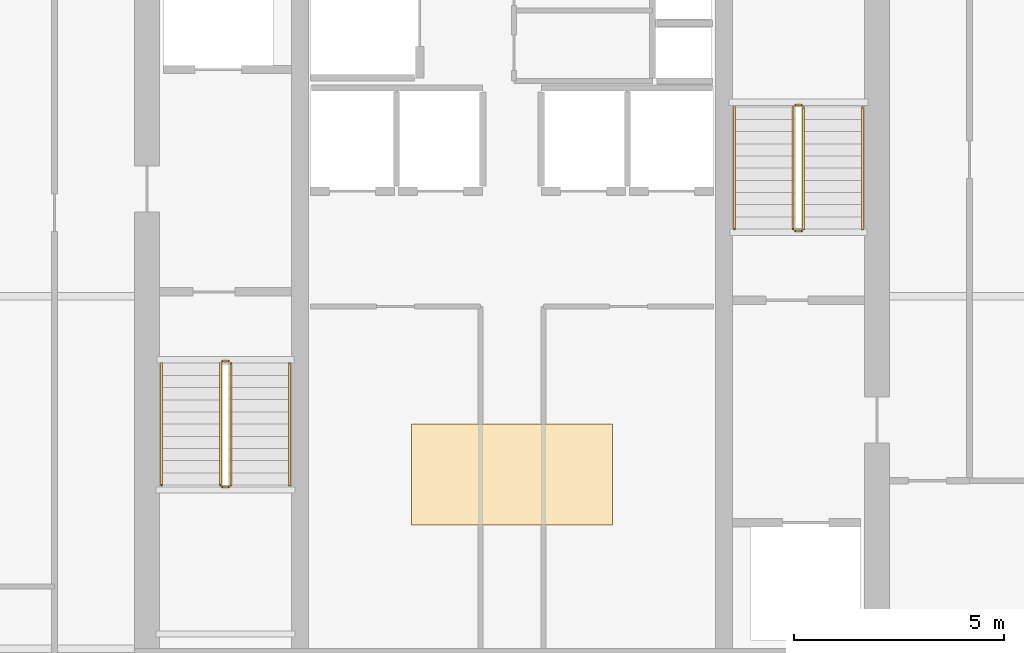
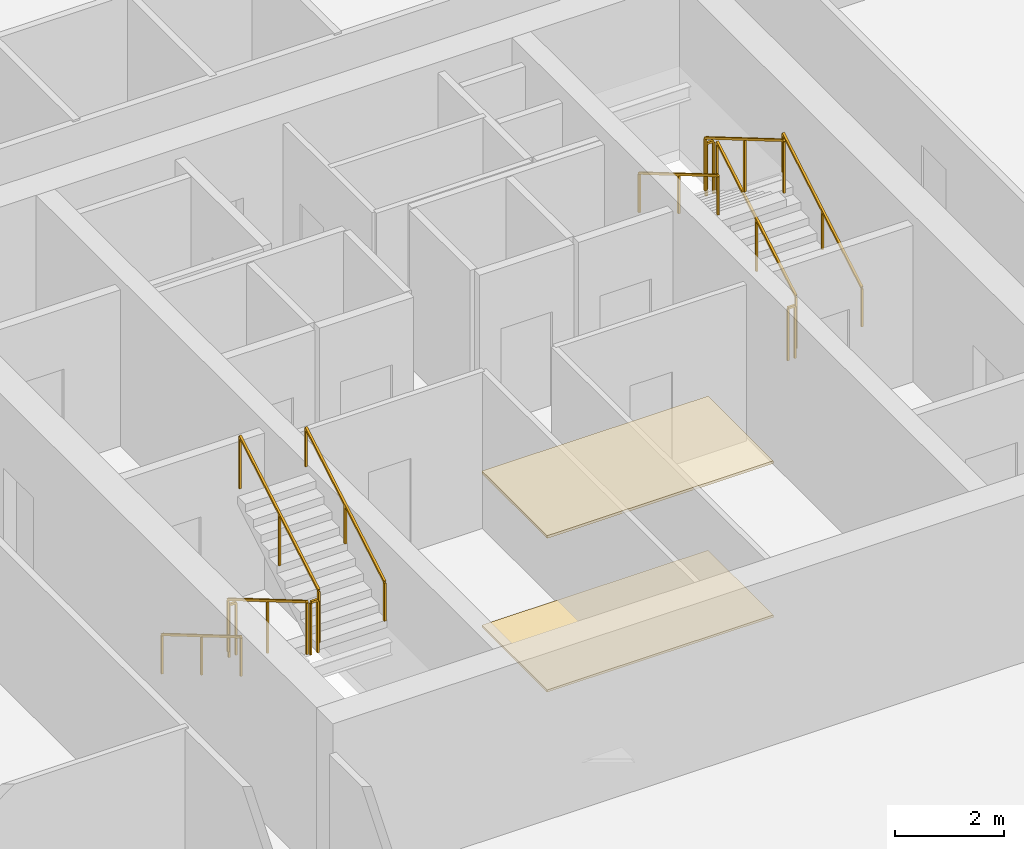
# One storey, part 18 of 19: 12 railings, 2 coverings.
"""IFC4 building model written with IfcOpenShell, lengths in metres."""

from ifc_helpers import new_model, si_unit, direction, frame, origin, origin_2d, place, context, subcontext, project, spatial, polyline, rectangle, outline, extrude, material, layer, layer_set, type_object, element, save


model = new_model("IFC4")

# Units and contexts
model_context = context("Model", 3, precision=1e-05, world=origin(), true_north=direction((0.0, 1.0)))
body_context = subcontext(model_context, "Body", "Model", "MODEL_VIEW")
ifc_project = project(units=[si_unit("LENGTHUNIT", "METRE"), si_unit("AREAUNIT", "SQUARE_METRE"), si_unit("VOLUMEUNIT", "CUBIC_METRE"), si_unit("PLANEANGLEUNIT", "RADIAN"), si_unit("MASSUNIT", "GRAM", prefix="KILO")], contexts=[model_context])

# Site, building, storey
site_placement = place(None, origin())
site = spatial("IfcSite", under=ifc_project, at=site_placement, CompositionType="ELEMENT")
building_placement = place(site_placement, origin())
building = spatial("IfcBuilding", under=site, at=building_placement, Name="Belovzor Exchange Tower", CompositionType="ELEMENT")
storey_placement = place(building_placement, frame((0.0, 0.0, 340.5)))
storey = spatial("IfcBuildingStorey", under=building, at=storey_placement, Name="L85", CompositionType="ELEMENT", Elevation=340.5)

# Railings
ifc_material_1 = material(Name="Stainless Steel Grade 304", Category="steel")
railing_type_1 = type_object("IfcRailingType", Name="Brushed Stainless Steel Stair Handrail 900", PredefinedType="HANDRAIL", material=ifc_material_1)
railing_1_placement = place(storey_placement, frame((20.449951171875, 27.199951171875, 0.17041015625)))
element("IfcRailing", 1, at=railing_1_placement, inside=storey, type_object=railing_type_1, Name="L85 ST-1 stair handrail 1", PredefinedType="HANDRAIL", context=body_context, shape_type="SweptSolid", body=[
    extrude(rectangle(XDim=0.048095703125, YDim=0.048095703125, at=origin_2d()), frame((0.0, 0.0, 0.8759765625), z_axis=(0.0, -0.86209462966, 0.506747323142), x_axis=(1.0, 0.0, 0.0)), (0.0, 0.0, 1.0), 3.36376953125),
    extrude(rectangle(XDim=0.0419921875, YDim=0.0419921875, at=origin_2d()), origin(), (0.0, 0.0, 1.0), 0.851806640625),
    extrude(rectangle(XDim=0.0419921875, YDim=0.0419921875, at=origin_2d()), frame((0.0, -1.449951171875, 0.852294921875)), (0.0, 0.0, 1.0), 0.851806640625),
    extrude(rectangle(XDim=0.0419921875, YDim=0.0419921875, at=origin_2d()), frame((0.0, -2.89990234375, 1.70458984375)), (0.0, 0.0, 1.0), 0.851806640625),
])
railing_2_placement = place(storey_placement, frame((23.5, 24.300048828125, 2.04541015625)))
element("IfcRailing", 2, at=railing_2_placement, inside=storey, type_object=railing_type_1, Name="L85 ST-1 stair handrail 2", PredefinedType="HANDRAIL", context=body_context, shape_type="SweptSolid", body=[
    extrude(rectangle(XDim=0.048095703125, YDim=0.048095703125, at=origin_2d()), frame((0.0, 0.0, 0.8759765625), z_axis=(0.0, 0.86209462966, 0.506747323142), x_axis=(-1.0, 0.0, 0.0)), (0.0, 0.0, 1.0), 3.36376953125),
    extrude(rectangle(XDim=0.0419921875, YDim=0.0419921875, at=origin_2d()), origin(), (0.0, 0.0, 1.0), 0.851806640625),
    extrude(rectangle(XDim=0.0419921875, YDim=0.0419921875, at=origin_2d()), frame((0.0, 1.449951171875, 0.852294921875)), (0.0, 0.0, 1.0), 0.851806640625),
    extrude(rectangle(XDim=0.0419921875, YDim=0.0419921875, at=origin_2d()), frame((0.0, 2.89990234375, 1.70458984375)), (0.0, 0.0, 1.0), 0.851806640625),
])
railing_3_placement = place(storey_placement, frame((37.14990234375, 30.39990234375, 0.17041015625)))
element("IfcRailing", 3, at=railing_3_placement, inside=storey, type_object=railing_type_1, Name="L85 ST-2 stair handrail 1", PredefinedType="HANDRAIL", context=body_context, shape_type="SweptSolid", body=[
    extrude(rectangle(XDim=0.048095703125, YDim=0.048095703125, at=origin_2d()), frame((0.0, 0.0, 0.8759765625), z_axis=(0.0, 0.862113265706, 0.506715617574), x_axis=(-1.0, 0.0, 0.0)), (0.0, 0.0, 1.0), 3.364013671875),
    extrude(rectangle(XDim=0.0419921875, YDim=0.0419921875, at=origin_2d()), origin(), (0.0, 0.0, 1.0), 0.851806640625),
    extrude(rectangle(XDim=0.0419921875, YDim=0.0419921875, at=origin_2d()), frame((0.0, 1.4501953125, 0.852294921875)), (0.0, 0.0, 1.0), 0.851806640625),
    extrude(rectangle(XDim=0.0419921875, YDim=0.0419921875, at=origin_2d()), frame((0.0, 2.900146484375, 1.70458984375)), (0.0, 0.0, 1.0), 0.851806640625),
])
railing_4_placement = place(storey_placement, frame((34.10009765625, 33.300048828125, 2.04541015625)))
element("IfcRailing", 4, at=railing_4_placement, inside=storey, type_object=railing_type_1, Name="L85 ST-2 stair handrail 2", PredefinedType="HANDRAIL", context=body_context, shape_type="SweptSolid", body=[
    extrude(rectangle(XDim=0.048095703125, YDim=0.048095703125, at=origin_2d()), frame((0.0, 0.0, 0.8759765625), z_axis=(0.0, -0.862113265706, 0.506715617574), x_axis=(1.0, 0.0, 0.0)), (0.0, 0.0, 1.0), 3.364013671875),
    extrude(rectangle(XDim=0.0419921875, YDim=0.0419921875, at=origin_2d()), origin(), (0.0, 0.0, 1.0), 0.851806640625),
    extrude(rectangle(XDim=0.0419921875, YDim=0.0419921875, at=origin_2d()), frame((0.0, -1.4501953125, 0.852294921875)), (0.0, 0.0, 1.0), 0.851806640625),
    extrude(rectangle(XDim=0.0419921875, YDim=0.0419921875, at=origin_2d()), frame((0.0, -2.900146484375, 1.70458984375)), (0.0, 0.0, 1.0), 0.851806640625),
])
ifc_material_2 = material(Name="Steel S355", Category="steel")
railing_type_2 = type_object("IfcRailingType", Name="Painted Steel Stairwell Guardrail 1200", PredefinedType="GUARDRAIL", material=ifc_material_2)
railing_5_placement = place(storey_placement, frame((21.85009765625, 27.199951171875, 0.17041015625)))
element("IfcRailing", 5, at=railing_5_placement, inside=storey, type_object=railing_type_2, Name="L85 ST-1 stair guard 1", PredefinedType="GUARDRAIL", context=body_context, shape_type="SweptSolid", body=[
    extrude(rectangle(XDim=0.048095703125, YDim=0.048095703125, at=origin_2d()), frame((0.0, 0.0, 1.17578125), z_axis=(0.0, -0.86209462966, 0.506747323142), x_axis=(1.0, 0.0, 0.0)), (0.0, 0.0, 1.0), 3.36376953125),
    extrude(rectangle(XDim=0.0419921875, YDim=0.0419921875, at=origin_2d()), origin(), (0.0, 0.0, 1.0), 1.15185546875),
    extrude(rectangle(XDim=0.0419921875, YDim=0.0419921875, at=origin_2d()), frame((0.0, -1.449951171875, 0.852294921875)), (0.0, 0.0, 1.0), 1.15185546875),
    extrude(rectangle(XDim=0.0419921875, YDim=0.0419921875, at=origin_2d()), frame((0.0, -2.89990234375, 1.70458984375)), (0.0, 0.0, 1.0), 1.15185546875),
])
railing_6_placement = place(storey_placement, frame((21.89990234375, 24.25, 1.875)))
element("IfcRailing", 6, at=railing_6_placement, inside=storey, type_object=railing_type_2, Name="L85 ST-1 stair guard 2", PredefinedType="GUARDRAIL", context=body_context, shape_type="SweptSolid", body=[
    extrude(rectangle(XDim=0.048095703125, YDim=0.048095703125, at=origin_2d()), frame((0.0, 0.0, 1.17578125), z_axis=(1.0, 0.0, 0.0), x_axis=(0.0, 1.0, 0.0)), (0.0, 0.0, 1.0), 0.150146484375),
    extrude(rectangle(XDim=0.0419921875, YDim=0.0419921875, at=origin_2d()), origin(), (0.0, 0.0, 1.0), 1.15185546875),
    extrude(rectangle(XDim=0.0419921875, YDim=0.0419921875, at=origin_2d()), frame((0.150146484375, 0.0, 0.0)), (0.0, 0.0, 1.0), 1.15185546875),
])
railing_7_placement = place(storey_placement, frame((22.10009765625, 24.300048828125, 2.04541015625)))
element("IfcRailing", 7, at=railing_7_placement, inside=storey, type_object=railing_type_2, Name="L85 ST-1 stair guard 3", PredefinedType="GUARDRAIL", context=body_context, shape_type="SweptSolid", body=[
    extrude(rectangle(XDim=0.048095703125, YDim=0.048095703125, at=origin_2d()), frame((0.0, 0.0, 1.17578125), z_axis=(0.0, 0.86209462966, 0.506747323142), x_axis=(-1.0, 0.0, 0.0)), (0.0, 0.0, 1.0), 3.36376953125),
    extrude(rectangle(XDim=0.0419921875, YDim=0.0419921875, at=origin_2d()), origin(), (0.0, 0.0, 1.0), 1.15185546875),
    extrude(rectangle(XDim=0.0419921875, YDim=0.0419921875, at=origin_2d()), frame((0.0, 1.449951171875, 0.852294921875)), (0.0, 0.0, 1.0), 1.15185546875),
    extrude(rectangle(XDim=0.0419921875, YDim=0.0419921875, at=origin_2d()), frame((0.0, 2.89990234375, 1.70458984375)), (0.0, 0.0, 1.0), 1.15185546875),
])
railing_8_placement = place(storey_placement, frame((21.89990234375, 27.25, 0.0)))
element("IfcRailing", 8, at=railing_8_placement, inside=storey, type_object=railing_type_2, Name="L85 ST-1 stair guard 4", PredefinedType="GUARDRAIL", context=body_context, shape_type="SweptSolid", body=[
    extrude(rectangle(XDim=0.048095703125, YDim=0.048095703125, at=origin_2d()), frame((0.0, 0.0, 1.17578125), z_axis=(1.0, 0.0, 0.0), x_axis=(0.0, 1.0, 0.0)), (0.0, 0.0, 1.0), 0.150146484375),
    extrude(rectangle(XDim=0.0419921875, YDim=0.0419921875, at=origin_2d()), origin(), (0.0, 0.0, 1.0), 1.15185546875),
    extrude(rectangle(XDim=0.0419921875, YDim=0.0419921875, at=origin_2d()), frame((0.150146484375, 0.0, 0.0)), (0.0, 0.0, 1.0), 1.15185546875),
])
railing_9_placement = place(storey_placement, frame((35.75, 30.39990234375, 0.17041015625)))
element("IfcRailing", 9, at=railing_9_placement, inside=storey, type_object=railing_type_2, Name="L85 ST-2 stair guard 1", PredefinedType="GUARDRAIL", context=body_context, shape_type="SweptSolid", body=[
    extrude(rectangle(XDim=0.048095703125, YDim=0.048095703125, at=origin_2d()), frame((0.0, 0.0, 1.17578125), z_axis=(0.0, 0.862113265706, 0.506715617574), x_axis=(-1.0, 0.0, 0.0)), (0.0, 0.0, 1.0), 3.364013671875),
    extrude(rectangle(XDim=0.0419921875, YDim=0.0419921875, at=origin_2d()), origin(), (0.0, 0.0, 1.0), 1.15185546875),
    extrude(rectangle(XDim=0.0419921875, YDim=0.0419921875, at=origin_2d()), frame((0.0, 1.4501953125, 0.852294921875)), (0.0, 0.0, 1.0), 1.15185546875),
    extrude(rectangle(XDim=0.0419921875, YDim=0.0419921875, at=origin_2d()), frame((0.0, 2.900146484375, 1.70458984375)), (0.0, 0.0, 1.0), 1.15185546875),
])
railing_10_placement = place(storey_placement, frame((35.699951171875, 33.35009765625, 1.875)))
element("IfcRailing", 10, at=railing_10_placement, inside=storey, type_object=railing_type_2, Name="L85 ST-2 stair guard 2", PredefinedType="GUARDRAIL", context=body_context, shape_type="SweptSolid", body=[
    extrude(rectangle(XDim=0.048095703125, YDim=0.048095703125, at=origin_2d()), frame((0.0, 0.0, 1.17578125), z_axis=(-1.0, 0.0, 0.0), x_axis=(0.0, -1.0, 0.0)), (0.0, 0.0, 1.0), 0.14990234375),
    extrude(rectangle(XDim=0.0419921875, YDim=0.0419921875, at=origin_2d()), origin(), (0.0, 0.0, 1.0), 1.15185546875),
    extrude(rectangle(XDim=0.0419921875, YDim=0.0419921875, at=origin_2d()), frame((-0.14990234375, 0.0, 0.0)), (0.0, 0.0, 1.0), 1.15185546875),
])
railing_11_placement = place(storey_placement, frame((35.5, 33.300048828125, 2.04541015625)))
element("IfcRailing", 11, at=railing_11_placement, inside=storey, type_object=railing_type_2, Name="L85 ST-2 stair guard 3", PredefinedType="GUARDRAIL", context=body_context, shape_type="SweptSolid", body=[
    extrude(rectangle(XDim=0.048095703125, YDim=0.048095703125, at=origin_2d()), frame((0.0, 0.0, 1.17578125), z_axis=(0.0, -0.862113265706, 0.506715617574), x_axis=(1.0, 0.0, 0.0)), (0.0, 0.0, 1.0), 3.364013671875),
    extrude(rectangle(XDim=0.0419921875, YDim=0.0419921875, at=origin_2d()), origin(), (0.0, 0.0, 1.0), 1.15185546875),
    extrude(rectangle(XDim=0.0419921875, YDim=0.0419921875, at=origin_2d()), frame((0.0, -1.4501953125, 0.852294921875)), (0.0, 0.0, 1.0), 1.15185546875),
    extrude(rectangle(XDim=0.0419921875, YDim=0.0419921875, at=origin_2d()), frame((0.0, -2.900146484375, 1.70458984375)), (0.0, 0.0, 1.0), 1.15185546875),
])
railing_12_placement = place(storey_placement, frame((35.699951171875, 30.35009765625, 0.0)))
element("IfcRailing", 12, at=railing_12_placement, inside=storey, type_object=railing_type_2, Name="L85 ST-2 stair guard 4", PredefinedType="GUARDRAIL", context=body_context, shape_type="SweptSolid", body=[
    extrude(rectangle(XDim=0.048095703125, YDim=0.048095703125, at=origin_2d()), frame((0.0, 0.0, 1.17578125), z_axis=(-1.0, 0.0, 0.0), x_axis=(0.0, -1.0, 0.0)), (0.0, 0.0, 1.0), 0.14990234375),
    extrude(rectangle(XDim=0.0419921875, YDim=0.0419921875, at=origin_2d()), origin(), (0.0, 0.0, 1.0), 1.15185546875),
    extrude(rectangle(XDim=0.0419921875, YDim=0.0419921875, at=origin_2d()), frame((-0.14990234375, 0.0, 0.0)), (0.0, 0.0, 1.0), 1.15185546875),
])

# Coverings
ifc_material_3 = material(Name="Perforated Powder-Coated Aluminium", Category="aluminium")
ifc_layer_1 = layer(ifc_material_3, 0.06005859375)
ifc_layer_set_1 = layer_set([ifc_layer_1], Name="Perforated Powder-Coated Aluminium")
covering_type_1 = type_object("IfcCoveringType", Name="Perforated Acoustic Metal Tile Suspended Ceiling 60", PredefinedType="CEILING", material=ifc_layer_set_1)
covering_1_placement = place(storey_placement, frame((0.0, 0.0, 3.449951171875)))
element("IfcCovering", 13, at=covering_1_placement, inside=storey, type_object=covering_type_1, Name="CLG-AC60 Suspended Ceiling CLG-L85-LOB", PredefinedType="CEILING", context=body_context, shape_type="SweptSolid", body=[
    extrude(outline(polyline([(26.39990234375, 23.35009765625), (31.199951171875, 23.35009765625), (31.199951171875, 25.75), (26.39990234375, 25.75), (26.39990234375, 23.35009765625)])), origin(), (0.0, 0.0, 1.0), 0.06005859375),
])
ifc_material_4 = material(Name="Polished Natural Granite Tile", Category="masonry")
ifc_layer_2 = layer(ifc_material_4, 0.050048828125)
ifc_layer_set_2 = layer_set([ifc_layer_2], Name="Polished Natural Granite Tile")
covering_type_2 = type_object("IfcCoveringType", Name="Polished Karelian Granite & Raised Access Floor Finish 50", PredefinedType="FLOORING", material=ifc_layer_set_2)
covering_2_placement = place(storey_placement, origin())
element("IfcCovering", 14, at=covering_2_placement, inside=storey, type_object=covering_type_2, Name="FLR-GR50 Floor Finish FLR-L85-LOB", PredefinedType="FLOORING", context=body_context, shape_type="SweptSolid", body=[
    extrude(outline(polyline([(26.39990234375, 23.35009765625), (31.199951171875, 23.35009765625), (31.199951171875, 25.75), (26.39990234375, 25.75), (26.39990234375, 23.35009765625)])), origin(), (0.0, 0.0, 1.0), 0.050048828125),
])

save(model, "model.ifc")
